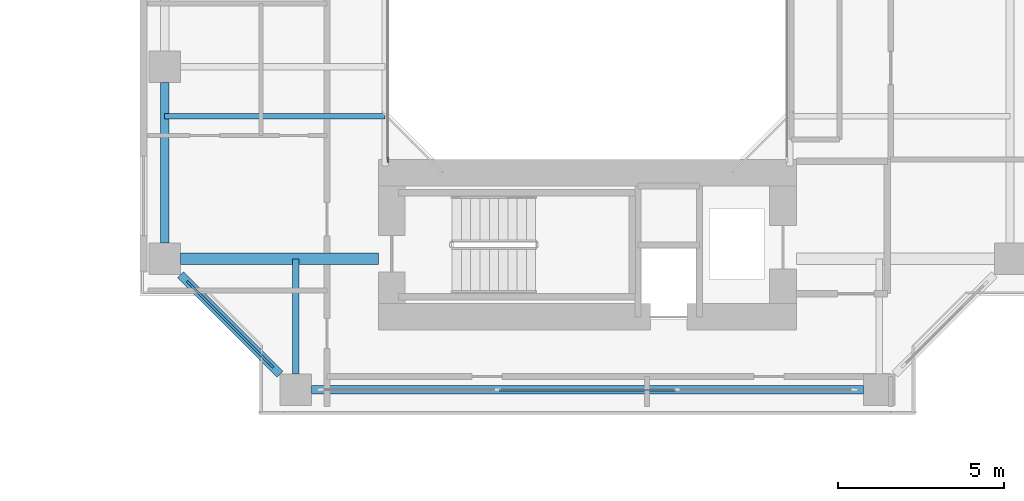
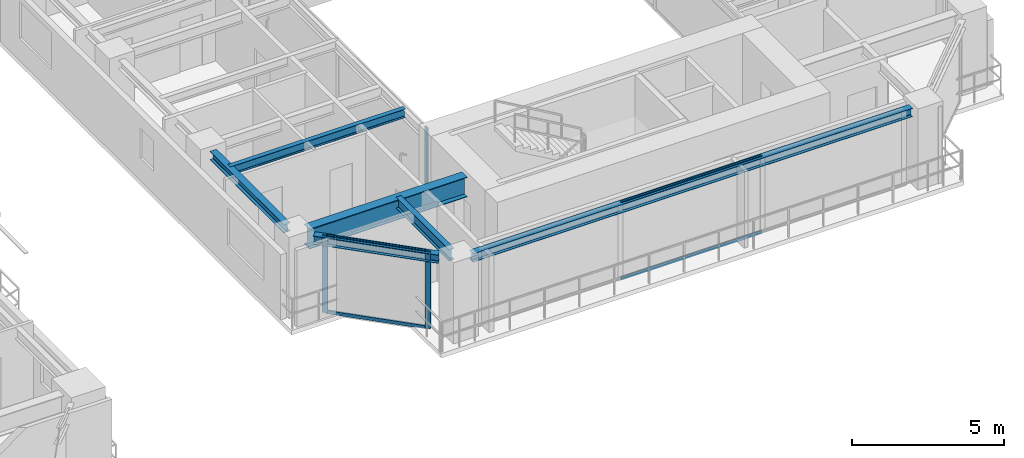
# One storey, part 6 of 24: 7 members, 6 beams, 3 elements without a shape of their own.
"""IFC4 building model written with IfcOpenShell, lengths in metres."""

from ifc_helpers import new_model, si_unit, direction, frame, origin, origin_2d, place, context, subcontext, project, spatial, rectangle, i_section, extrude, source, transform, mapped, material, layer, layer_set, material_profile, profile_set, type_object, element, aggregate, save


model = new_model("IFC4")

# Units and contexts
model_context = context("Model", 3, precision=1e-05, world=origin(), true_north=direction((0.0, 1.0)))
body_context = subcontext(model_context, "Body", "Model", "MODEL_VIEW")
ifc_project = project(units=[si_unit("LENGTHUNIT", "METRE"), si_unit("AREAUNIT", "SQUARE_METRE"), si_unit("VOLUMEUNIT", "CUBIC_METRE"), si_unit("PLANEANGLEUNIT", "RADIAN"), si_unit("MASSUNIT", "GRAM", prefix="KILO"), si_unit("THERMODYNAMICTEMPERATUREUNIT", "KELVIN"), si_unit("POWERUNIT", "WATT")], contexts=[model_context])

# Site, building, storey
site_placement = place(None, origin())
site = spatial("IfcSite", under=ifc_project, at=site_placement, CompositionType="ELEMENT")
building_placement = place(site_placement, origin())
building = spatial("IfcBuilding", under=site, at=building_placement, Name="Qiaomeng Ring Towers", CompositionType="ELEMENT")
storey_placement = place(building_placement, frame((0.0, 0.0, 56.75)))
storey = spatial("IfcBuildingStorey", under=building, at=storey_placement, Name="L15", CompositionType="ELEMENT", Elevation=56.75)

# Beams
ifc_material_1 = material(Name="Steel Q355B", Category="steel")
ifc_material_profile_1 = material_profile(ifc_material_1, i_section(OverallWidth=0.25, OverallDepth=0.340087890625, WebThickness=0.009033203125, FlangeThickness=0.013916015625, FilletRadius=0.02001953125, at=origin_2d()), Name="HM 340x250x9x14")
ifc_profile_set_1 = profile_set([ifc_material_profile_1], Name="Steel Q355B")
beam_type_1 = type_object("IfcBeamType", Name="STR-BM-HM340", PredefinedType="SPANDREL", material=ifc_profile_set_1)
shared_shape_1 = source(origin(), body_context, "Body", "SweptSolid", [
    extrude(i_section(OverallWidth=0.25, OverallDepth=0.340087890625, WebThickness=0.009033203125, FlangeThickness=0.013916015625, FilletRadius=0.02001953125, at=origin_2d()), origin(), (0.0, 0.0, 1.0), 16.65185546875),
])
beam_1_placement = place(storey_placement, frame((52.174072265625, 10.25, 2.89990234375), z_axis=(1.0, 0.0, 0.0), x_axis=(0.0, 1.0, 0.0)))
element("IfcBeam", 1, at=beam_1_placement, inside=storey, type_object=beam_type_1, Name="L15 beam STR-SP-L15-T2-S1-S2", PredefinedType="SPANDREL", context=body_context, shape_type="MappedRepresentation", body=[
    mapped(shared_shape_1, transform((0.0, 0.0, 0.0), x_axis=(1.0, 0.0, 0.0), y_axis=(0.0, 1.0, 0.0), z_axis=(0.0, 0.0, 1.0), scale=1.0)),
])
shared_shape_2 = source(origin(), body_context, "Body", "SweptSolid", [
    extrude(i_section(OverallWidth=0.25, OverallDepth=0.340087890625, WebThickness=0.009033203125, FlangeThickness=0.013916015625, FilletRadius=0.02001953125, at=origin_2d()), origin(), (0.0, 0.0, 1.0), 4.244384765625),
])
beam_2_placement = place(storey_placement, frame((48.224365234375, 13.7255859375, 2.89990234375), z_axis=(0.707106781187, -0.707106781187, 0.0), x_axis=(0.707106781187, 0.707106781187, 0.0)))
element("IfcBeam", 2, at=beam_2_placement, inside=storey, type_object=beam_type_1, Name="L15 beam STR-SP-L15-T2-W1-S1", PredefinedType="SPANDREL", context=body_context, shape_type="MappedRepresentation", body=[
    mapped(shared_shape_2, transform((0.0, 0.0, 0.0), x_axis=(1.0, 0.0, 0.0), y_axis=(0.0, 1.0, 0.0), z_axis=(0.0, 0.0, 1.0), scale=1.0)),
])
shared_shape_3 = source(origin(), body_context, "Body", "SweptSolid", [
    extrude(i_section(OverallWidth=0.25, OverallDepth=0.340087890625, WebThickness=0.009033203125, FlangeThickness=0.013916015625, FilletRadius=0.02001953125, at=origin_2d()), origin(), (0.0, 0.0, 1.0), 4.851806640625),
])
beam_3_placement = place(storey_placement, frame((47.75, 19.52587890625, 2.89990234375), z_axis=(0.0, -1.0, 0.0), x_axis=(1.0, 0.0, 0.0)))
element("IfcBeam", 3, at=beam_3_placement, inside=storey, type_object=beam_type_1, Name="L15 beam STR-SP-L15-T2-W2-W1", PredefinedType="SPANDREL", context=body_context, shape_type="MappedRepresentation", body=[
    mapped(shared_shape_3, transform((0.0, 0.0, 0.0), x_axis=(1.0, 0.0, 0.0), y_axis=(0.0, 1.0, 0.0), z_axis=(0.0, 0.0, 1.0), scale=1.0)),
])
ifc_material_2 = material(Name="Steel Q390GJC", Category="steel")
ifc_material_profile_2 = material_profile(ifc_material_2, i_section(OverallWidth=0.35009765625, OverallDepth=0.800048828125, WebThickness=0.01611328125, FlangeThickness=0.028076171875, at=origin_2d()), Name="WH 800x350x16x28")
ifc_profile_set_2 = profile_set([ifc_material_profile_2], Name="Steel Q390GJC")
beam_type_2 = type_object("IfcBeamType", Name="STR-BM-WH800", PredefinedType="BEAM", material=ifc_profile_set_2)
shared_shape_4 = source(origin(), body_context, "Body", "SweptSolid", [
    extrude(i_section(OverallWidth=0.35009765625, OverallDepth=0.800048828125, WebThickness=0.01611328125, FlangeThickness=0.028076171875, at=origin_2d()), origin(), (0.0, 0.0, 1.0), 5.975830078125),
])
beam_4_placement = place(storey_placement, frame((48.22412109375, 14.199951171875, 2.669921875), z_axis=(1.0, 0.0, 0.0), x_axis=(0.0, 1.0, 0.0)))
element("IfcBeam", 4, at=beam_4_placement, inside=storey, type_object=beam_type_2, Name="L15 beam STR-BM-L15-T2-RAD-W1", PredefinedType="BEAM", context=body_context, shape_type="MappedRepresentation", body=[
    mapped(shared_shape_4, transform((0.0, 0.0, 0.0), x_axis=(1.0, 0.0, 0.0), y_axis=(0.0, 1.0, 0.0), z_axis=(0.0, 0.0, 1.0), scale=1.0)),
])
ifc_material_profile_3 = material_profile(ifc_material_1, i_section(OverallWidth=0.199951171875, OverallDepth=0.449951171875, WebThickness=0.009033203125, FlangeThickness=0.013916015625, FilletRadius=0.01806640625, at=origin_2d()), Name="HN 450x200x9x14")
ifc_profile_set_3 = profile_set([ifc_material_profile_3], Name="Steel Q355B")
beam_type_3 = type_object("IfcBeamType", Name="STR-BM-HN450", PredefinedType="SPANDREL", material=ifc_profile_set_3)
shared_shape_5 = source(origin(), body_context, "Body", "SweptSolid", [
    extrude(i_section(OverallWidth=0.199951171875, OverallDepth=0.449951171875, WebThickness=0.009033203125, FlangeThickness=0.013916015625, FilletRadius=0.01806640625, at=origin_2d()), origin(), (0.0, 0.0, 1.0), 3.475830078125),
])
beam_5_placement = place(storey_placement, frame((51.699951171875, 10.72412109375, 2.844970703125), z_axis=(0.0, 1.0, 0.0), x_axis=(-1.0, 0.0, 0.0)))
element("IfcBeam", 5, at=beam_5_placement, inside=storey, type_object=beam_type_3, Name="L15 beam STR-BM-L15-T2-RAD-S1", PredefinedType="SPANDREL", context=body_context, shape_type="MappedRepresentation", body=[
    mapped(shared_shape_5, transform((0.0, 0.0, 0.0), x_axis=(1.0, 0.0, 0.0), y_axis=(0.0, 1.0, 0.0), z_axis=(0.0, 0.0, 1.0), scale=1.0)),
])
ifc_material_profile_4 = material_profile(ifc_material_1, i_section(OverallWidth=0.175048828125, OverallDepth=0.35009765625, WebThickness=0.007080078125, FlangeThickness=0.010986328125, FilletRadius=0.013916015625, at=origin_2d()), Name="HN 350x175x7x11")
ifc_profile_set_4 = profile_set([ifc_material_profile_4], Name="Steel Q355B")
beam_type_4 = type_object("IfcBeamType", Name="STR-BM-HN350", PredefinedType="JOIST", material=ifc_profile_set_4)
shared_shape_6 = source(origin(), body_context, "Body", "SweptSolid", [
    extrude(i_section(OverallWidth=0.175048828125, OverallDepth=0.35009765625, WebThickness=0.007080078125, FlangeThickness=0.010986328125, FilletRadius=0.013916015625, at=origin_2d()), origin(), (0.0, 0.0, 1.0), 6.64990234375),
])
beam_6_placement = place(storey_placement, frame((47.75, 18.5, 2.89501953125), z_axis=(1.0, 0.0, 0.0), x_axis=(0.0, 1.0, 0.0)))
element("IfcBeam", 6, at=beam_6_placement, inside=storey, type_object=beam_type_4, Name="L15 beam STR-JST-L15-T2W-1", PredefinedType="JOIST", context=body_context, shape_type="MappedRepresentation", body=[
    mapped(shared_shape_6, transform((0.0, 0.0, 0.0), x_axis=(1.0, 0.0, 0.0), y_axis=(0.0, 1.0, 0.0), z_axis=(0.0, 0.0, 1.0), scale=1.0)),
])

# Curtain wall, member
ifc_material_3 = material(Name="Fluorocarbon dark-grey aluminium", Category="aluminium")
ifc_layer_1 = layer(ifc_material_3, 0.139892578125, Name="Fluorocarbon dark-grey aluminium")
ifc_layer_set_1 = layer_set([ifc_layer_1], Name="Fluorocarbon dark-grey aluminium")
curtain_wall_type_1 = type_object("IfcCurtainWallType", Name="ARC-CW-4", PredefinedType="NOTDEFINED", material=ifc_layer_set_1)
curtain_wall_1_placement = place(storey_placement, origin())
curtain_wall_1 = element("IfcCurtainWall", 7, at=curtain_wall_1_placement, inside=storey, type_object=curtain_wall_type_1, Name="L15 Curtain Wall CW4", PredefinedType="NOTDEFINED")
ifc_material_profile_5 = material_profile(ifc_material_3, rectangle(XDim=0.06494140625, YDim=0.159912109375, at=origin_2d()), Name="ALU MULL 65x160")
ifc_profile_set_5 = profile_set([ifc_material_profile_5], Name="Fluorocarbon dark-grey aluminium")
member_type_1 = type_object("IfcMemberType", Name="ARC-CWM-140", PredefinedType="MULLION", material=ifc_profile_set_5)
shared_shape_7 = source(origin(), body_context, "Body", "SweptSolid", [
    extrude(rectangle(XDim=0.06494140625, YDim=0.159912109375, at=origin_2d()), origin(), (0.0, 0.0, 1.0), 3.070068359375),
])
member_1_placement = place(storey_placement, frame((54.47998046875, 17.1826171875, 0.0), z_axis=(0.0, 0.0, 1.0), x_axis=(-1.0, 0.0, 0.0)))
member_1 = element("IfcMember", 8, at=member_1_placement, type_object=member_type_1, Name="CW4 mullion 1", PredefinedType="MULLION", context=body_context, shape_type="MappedRepresentation", body=[
    mapped(shared_shape_7, transform((0.0, 0.0, 0.0), x_axis=(1.0, 0.0, 0.0), y_axis=(0.0, 1.0, 0.0), z_axis=(0.0, 0.0, 1.0), scale=1.0)),
])
aggregate(curtain_wall_1, [member_1])

# Curtain wall, members
ifc_layer_2 = layer(ifc_material_3, 0.14990234375, Name="Fluorocarbon dark-grey aluminium")
ifc_layer_set_2 = layer_set([ifc_layer_2], Name="Fluorocarbon dark-grey aluminium")
curtain_wall_type_2 = type_object("IfcCurtainWallType", Name="ARC-CW-5", PredefinedType="NOTDEFINED", material=ifc_layer_set_2)
curtain_wall_2_placement = place(storey_placement, origin())
curtain_wall_2 = element("IfcCurtainWall", 9, at=curtain_wall_2_placement, inside=storey, type_object=curtain_wall_type_2, Name="L15 Curtain Wall CW5", PredefinedType="NOTDEFINED")
ifc_material_profile_6 = material_profile(ifc_material_3, rectangle(XDim=0.070068359375, YDim=0.179931640625, at=origin_2d()), Name="ALU MULL 70x180")
ifc_profile_set_6 = profile_set([ifc_material_profile_6], Name="Fluorocarbon dark-grey aluminium")
member_type_2 = type_object("IfcMemberType", Name="ARC-CWM-160", PredefinedType="MULLION", material=ifc_profile_set_6)
shared_shape_8 = source(origin(), body_context, "Body", "SweptSolid", [
    extrude(rectangle(XDim=0.070068359375, YDim=0.179931640625, at=origin_2d()), origin(), (0.0, 0.0, 1.0), 3.070068359375),
])
member_2_placement = place(storey_placement, frame((48.48974609375, 13.460205078125, 0.0), z_axis=(0.0, 0.0, 1.0), x_axis=(0.707106781187, 0.707106781187, 0.0)))
member_2 = element("IfcMember", 10, at=member_2_placement, type_object=member_type_2, Name="CW5 mullion 1", PredefinedType="MULLION", context=body_context, shape_type="MappedRepresentation", body=[
    mapped(shared_shape_8, transform((0.0, 0.0, 0.0), x_axis=(1.0, 0.0, 0.0), y_axis=(0.0, 1.0, 0.0), z_axis=(0.0, 0.0, 1.0), scale=1.0)),
])
member_3_placement = place(storey_placement, frame((50.960205078125, 10.98974609375, 0.0), z_axis=(0.0, 0.0, 1.0), x_axis=(0.707106781187, 0.707106781187, 0.0)))
member_3 = element("IfcMember", 11, at=member_3_placement, type_object=member_type_2, Name="CW5 mullion 2", PredefinedType="MULLION", context=body_context, shape_type="MappedRepresentation", body=[
    mapped(shared_shape_8, transform((0.0, 0.0, 0.0), x_axis=(1.0, 0.0, 0.0), y_axis=(0.0, 1.0, 0.0), z_axis=(0.0, 0.0, 1.0), scale=1.0)),
])

curtain_wall_3_placement = place(storey_placement, origin())
curtain_wall_3 = element("IfcCurtainWall", 12, at=curtain_wall_3_placement, inside=storey, type_object=curtain_wall_type_2, Name="L15 Curtain Wall CW5", PredefinedType="NOTDEFINED")
ifc_material_profile_7 = material_profile(ifc_material_3, rectangle(XDim=0.06494140625, YDim=0.1298828125, at=origin_2d()), Name="ALU TRAN 65x130")
ifc_profile_set_7 = profile_set([ifc_material_profile_7], Name="Fluorocarbon dark-grey aluminium")
member_type_3 = type_object("IfcMemberType", Name="ARC-CWT-120", PredefinedType="USERDEFINED", material=ifc_profile_set_7)
shared_shape_9 = source(origin(), body_context, "Body", "SweptSolid", [
    extrude(rectangle(XDim=0.06494140625, YDim=0.1298828125, at=origin_2d()), origin(), (0.0, 0.0, 1.0), 5.31982421875),
])
member_4_placement = place(storey_placement, frame((57.840087890625, 10.25, 0.032470703125), z_axis=(1.0, 0.0, 0.0), x_axis=(0.0, 1.0, 0.0)))
member_4 = element("IfcMember", 13, at=member_4_placement, type_object=member_type_3, Name="CW5 transom 2.1", ObjectType="TRANSOM", PredefinedType="USERDEFINED", context=body_context, shape_type="MappedRepresentation", body=[
    mapped(shared_shape_9, transform((0.0, 0.0, 0.0), x_axis=(1.0, 0.0, 0.0), y_axis=(0.0, 1.0, 0.0), z_axis=(0.0, 0.0, 1.0), scale=1.0)),
])
member_5_placement = place(storey_placement, frame((57.840087890625, 10.25, 3.03759765625), z_axis=(1.0, 0.0, 0.0), x_axis=(0.0, 1.0, 0.0)))
member_5 = element("IfcMember", 14, at=member_5_placement, type_object=member_type_3, Name="CW5 transom 2.2", ObjectType="TRANSOM", PredefinedType="USERDEFINED", context=body_context, shape_type="MappedRepresentation", body=[
    mapped(shared_shape_9, transform((0.0, 0.0, 0.0), x_axis=(1.0, 0.0, 0.0), y_axis=(0.0, 1.0, 0.0), z_axis=(0.0, 0.0, 1.0), scale=1.0)),
])
aggregate(curtain_wall_3, [member_4, member_5])

# Member
shared_shape_10 = source(origin(), body_context, "Body", "SweptSolid", [
    extrude(rectangle(XDim=0.06494140625, YDim=0.1298828125, at=origin_2d()), origin(), (0.0, 0.0, 1.0), 3.424072265625),
])
member_6_placement = place(storey_placement, frame((48.514404296875, 13.435546875, 0.032470703125), z_axis=(0.707106781187, -0.707106781187, 0.0), x_axis=(0.707106781187, 0.707106781187, 0.0)))
member_6 = element("IfcMember", 15, at=member_6_placement, type_object=member_type_3, Name="CW5 transom 1.1", ObjectType="TRANSOM", PredefinedType="USERDEFINED", context=body_context, shape_type="MappedRepresentation", body=[
    mapped(shared_shape_10, transform((0.0, 0.0, 0.0), x_axis=(1.0, 0.0, 0.0), y_axis=(0.0, 1.0, 0.0), z_axis=(0.0, 0.0, 1.0), scale=1.0)),
])

member_7_placement = place(storey_placement, frame((48.514404296875, 13.435546875, 3.03759765625), z_axis=(0.707106781187, -0.707106781187, 0.0), x_axis=(0.707106781187, 0.707106781187, 0.0)))
member_7 = element("IfcMember", 16, at=member_7_placement, type_object=member_type_3, Name="CW5 transom 1.2", ObjectType="TRANSOM", PredefinedType="USERDEFINED", context=body_context, shape_type="MappedRepresentation", body=[
    mapped(shared_shape_10, transform((0.0, 0.0, 0.0), x_axis=(1.0, 0.0, 0.0), y_axis=(0.0, 1.0, 0.0), z_axis=(0.0, 0.0, 1.0), scale=1.0)),
])

aggregate(curtain_wall_2, [member_2, member_3, member_6, member_7])

save(model, "model.ifc")
